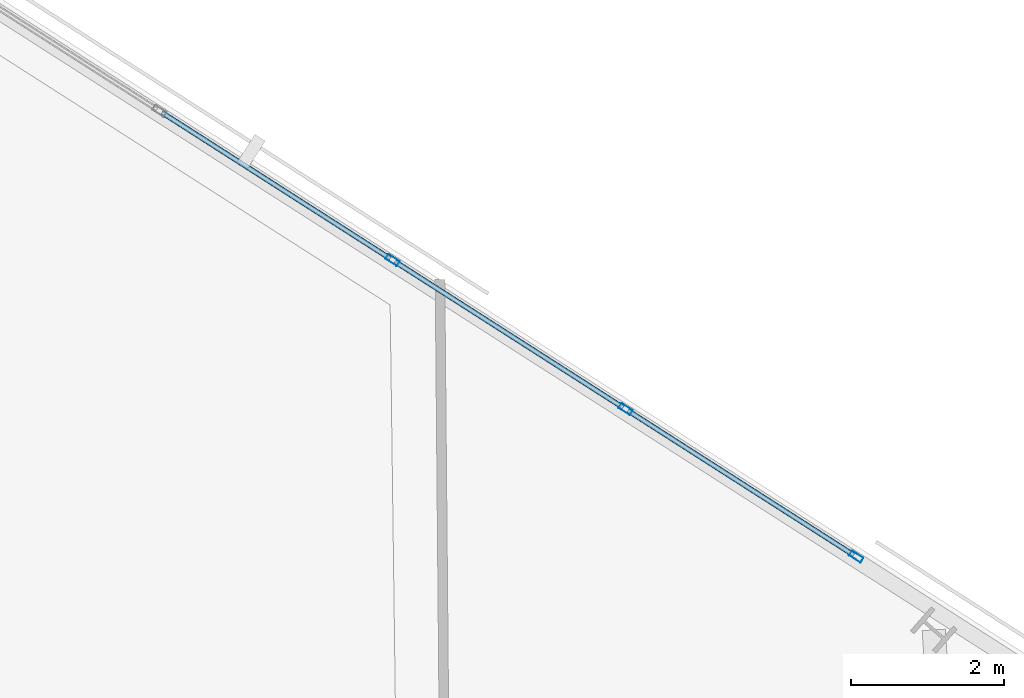
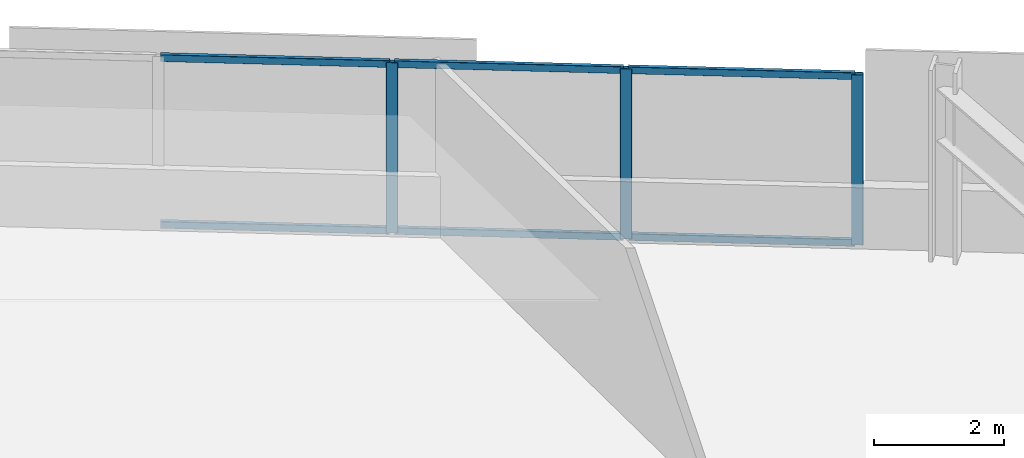
# One storey, part 9 of 15: 9 members, 1 element without a shape of its own.
"""IFC4 building model written with IfcOpenShell, lengths in metres."""

from ifc_helpers import new_model, si_unit, direction, frame, origin, origin_2d, place, context, subcontext, project, spatial, hollow_rectangle, extrude, material, material_profile, profile_set, type_object, element, aggregate, save


model = new_model("IFC4")

# Units and contexts
model_context = context("Model", 3, precision=1e-05, world=origin(), true_north=direction((0.0, 1.0)))
body_context = subcontext(model_context, "Body", "Model", "MODEL_VIEW")
ifc_project = project(units=[si_unit("LENGTHUNIT", "METRE"), si_unit("AREAUNIT", "SQUARE_METRE"), si_unit("VOLUMEUNIT", "CUBIC_METRE"), si_unit("PLANEANGLEUNIT", "RADIAN"), si_unit("MASSUNIT", "GRAM", prefix="KILO")], contexts=[model_context])

# Site, building, storey
site_placement = place(None, origin())
site = spatial("IfcSite", under=ifc_project, at=site_placement, CompositionType="ELEMENT")
building_placement = place(site_placement, origin())
building = spatial("IfcBuilding", under=site, at=building_placement, Name="Narakoshi Arena Tower", CompositionType="ELEMENT")
storey_placement = place(building_placement, frame((0.0, 0.0, 92.10009765625)))
storey = spatial("IfcBuildingStorey", under=building, at=storey_placement, Name="L24", CompositionType="ELEMENT", Elevation=92.10009765625)

# Curtain wall, members
ifc_material = material(Name="Anodised bronze aluminium 6063-T6", Category="aluminium")
curtain_wall_type = type_object("IfcCurtainWallType", Name="CW-HYP-LOW", PredefinedType="NOTDEFINED", material=ifc_material)
curtain_wall_placement = place(storey_placement, origin())
curtain_wall = element("IfcCurtainWall", 1, at=curtain_wall_placement, inside=storey, type_object=curtain_wall_type, Name="L24 Folded Hypotenuse Curtain Wall 2-1", PredefinedType="NOTDEFINED")
ifc_material_profile_1 = material_profile(ifc_material, hollow_rectangle(XDim=0.074951171875, YDim=0.179931640625, WallThickness=0.00390625, OuterFilletRadius=0.0048828125, at=origin_2d()), Name="MUL180x75x4")
ifc_profile_set_1 = profile_set([ifc_material_profile_1], Name="Anodised bronze aluminium 6063-T6")
member_type_1 = type_object("IfcMemberType", Name="MEM-MUL-180", PredefinedType="MULLION", material=ifc_profile_set_1)
member_1_placement = place(storey_placement, frame((84.00390625, 65.85302734375, 0.0), z_axis=(0.0, 0.0, 1.0), x_axis=(-0.538830623288, -0.842414125835, 0.0)))
member_1 = element("IfcMember", 2, at=member_1_placement, type_object=member_type_1, Name="CW-01 mullion 1", PredefinedType="MULLION", context=body_context, shape_type="SweptSolid", body=[
    extrude(hollow_rectangle(XDim=0.074951171875, YDim=0.179931640625, WallThickness=0.00390625, OuterFilletRadius=0.0048828125, at=origin_2d()), origin(), (0.0, 0.0, 1.0), 3.199951171875),
])
member_2_placement = place(storey_placement, frame((80.998291015625, 67.775634765625, 0.0), z_axis=(0.0, 0.0, 1.0), x_axis=(-0.538830623288, -0.842414125835, 0.0)))
member_2 = element("IfcMember", 3, at=member_2_placement, type_object=member_type_1, Name="CW-01 mullion 2", PredefinedType="MULLION", context=body_context, shape_type="SweptSolid", body=[
    extrude(hollow_rectangle(XDim=0.074951171875, YDim=0.179931640625, WallThickness=0.00390625, OuterFilletRadius=0.0048828125, at=origin_2d()), origin(), (0.0, 0.0, 1.0), 3.199951171875),
])
member_3_placement = place(storey_placement, frame((77.961181640625, 69.71826171875, 0.0), z_axis=(0.0, 0.0, 1.0), x_axis=(-0.538830623288, -0.842414125835, 0.0)))
member_3 = element("IfcMember", 4, at=member_3_placement, type_object=member_type_1, Name="CW-01 mullion 3", PredefinedType="MULLION", context=body_context, shape_type="SweptSolid", body=[
    extrude(hollow_rectangle(XDim=0.074951171875, YDim=0.179931640625, WallThickness=0.00390625, OuterFilletRadius=0.0048828125, at=origin_2d()), origin(), (0.0, 0.0, 1.0), 3.199951171875),
])
ifc_material_profile_2 = material_profile(ifc_material, hollow_rectangle(XDim=0.06494140625, YDim=0.1298828125, WallThickness=0.00390625, OuterFilletRadius=0.0048828125, at=origin_2d()), Name="TRN130x65x4")
ifc_profile_set_2 = profile_set([ifc_material_profile_2], Name="Anodised bronze aluminium 6063-T6")
member_type_2 = type_object("IfcMemberType", Name="MEM-TRN-130", PredefinedType="USERDEFINED", material=ifc_profile_set_2)
member_4_placement = place(storey_placement, frame((83.972412109375, 65.873291015625, 0.032470703125), z_axis=(-0.84240720239, 0.53884144733, 0.0), x_axis=(-0.53884144733, -0.84240720239, 0.0)))
member_4 = element("IfcMember", 5, at=member_4_placement, type_object=member_type_2, Name="CW-01 transom 1.1", ObjectType="TRANSOM", PredefinedType="USERDEFINED", context=body_context, shape_type="SweptSolid", body=[
    extrude(hollow_rectangle(XDim=0.06494140625, YDim=0.1298828125, WallThickness=0.00390625, OuterFilletRadius=0.0048828125, at=origin_2d()), origin(), (0.0, 0.0, 1.0), 3.492919921875),
])
member_5_placement = place(storey_placement, frame((83.972412109375, 65.873291015625, 3.16748046875), z_axis=(-0.84240720239, 0.53884144733, 0.0), x_axis=(-0.53884144733, -0.84240720239, 0.0)))
member_5 = element("IfcMember", 6, at=member_5_placement, type_object=member_type_2, Name="CW-01 transom 1.2", ObjectType="TRANSOM", PredefinedType="USERDEFINED", context=body_context, shape_type="SweptSolid", body=[
    extrude(hollow_rectangle(XDim=0.06494140625, YDim=0.1298828125, WallThickness=0.00390625, OuterFilletRadius=0.0048828125, at=origin_2d()), origin(), (0.0, 0.0, 1.0), 3.492919921875),
])
member_6_placement = place(storey_placement, frame((80.966796875, 67.7958984375, 0.032470703125), z_axis=(-0.842443420476, 0.53878482096, 0.0), x_axis=(-0.53878482096, -0.842443420476, 0.0)))
member_6 = element("IfcMember", 7, at=member_6_placement, type_object=member_type_2, Name="CW-01 transom 2.1", ObjectType="TRANSOM", PredefinedType="USERDEFINED", context=body_context, shape_type="SweptSolid", body=[
    extrude(hollow_rectangle(XDim=0.06494140625, YDim=0.1298828125, WallThickness=0.00390625, OuterFilletRadius=0.0048828125, at=origin_2d()), origin(), (0.0, 0.0, 1.0), 3.5302734375),
])
member_7_placement = place(storey_placement, frame((80.966796875, 67.7958984375, 3.16748046875), z_axis=(-0.842443420476, 0.53878482096, 0.0), x_axis=(-0.53878482096, -0.842443420476, 0.0)))
member_7 = element("IfcMember", 8, at=member_7_placement, type_object=member_type_2, Name="CW-01 transom 2.2", ObjectType="TRANSOM", PredefinedType="USERDEFINED", context=body_context, shape_type="SweptSolid", body=[
    extrude(hollow_rectangle(XDim=0.06494140625, YDim=0.1298828125, WallThickness=0.00390625, OuterFilletRadius=0.0048828125, at=origin_2d()), origin(), (0.0, 0.0, 1.0), 3.5302734375),
])
member_8_placement = place(storey_placement, frame((77.929443359375, 69.738525390625, 0.032470703125), z_axis=(-0.842391951622, 0.538865289142, 0.0), x_axis=(-0.538865289142, -0.842391951622, 0.0)))
member_8 = element("IfcMember", 9, at=member_8_placement, type_object=member_type_2, Name="CW-01 transom 3.1", ObjectType="TRANSOM", PredefinedType="USERDEFINED", context=body_context, shape_type="SweptSolid", body=[
    extrude(hollow_rectangle(XDim=0.06494140625, YDim=0.1298828125, WallThickness=0.00390625, OuterFilletRadius=0.0048828125, at=origin_2d()), origin(), (0.0, 0.0, 1.0), 3.5302734375),
])
member_9_placement = place(storey_placement, frame((77.929443359375, 69.738525390625, 3.16748046875), z_axis=(-0.842391951622, 0.538865289142, 0.0), x_axis=(-0.538865289142, -0.842391951622, 0.0)))
member_9 = element("IfcMember", 10, at=member_9_placement, type_object=member_type_2, Name="CW-01 transom 3.2", ObjectType="TRANSOM", PredefinedType="USERDEFINED", context=body_context, shape_type="SweptSolid", body=[
    extrude(hollow_rectangle(XDim=0.06494140625, YDim=0.1298828125, WallThickness=0.00390625, OuterFilletRadius=0.0048828125, at=origin_2d()), origin(), (0.0, 0.0, 1.0), 3.5302734375),
])
aggregate(curtain_wall, [member_1, member_2, member_3, member_4, member_5, member_6, member_7, member_8, member_9])

save(model, "model.ifc")
